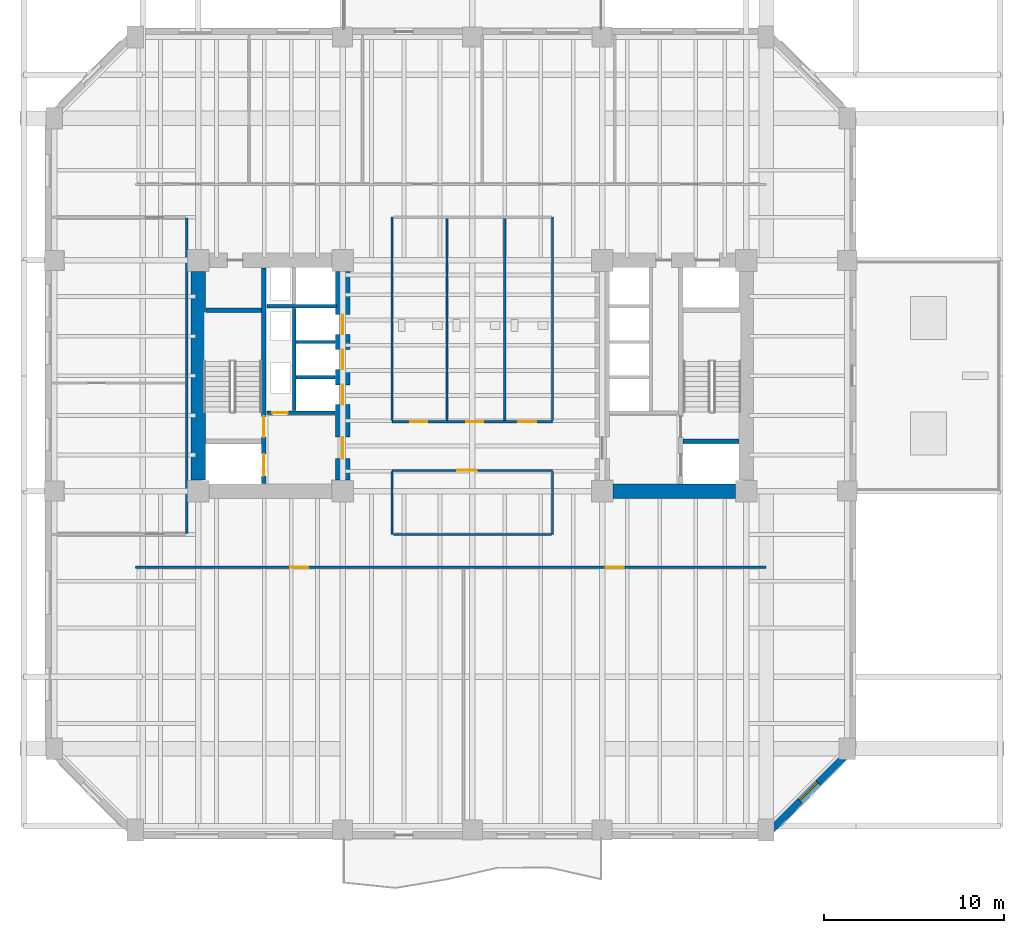
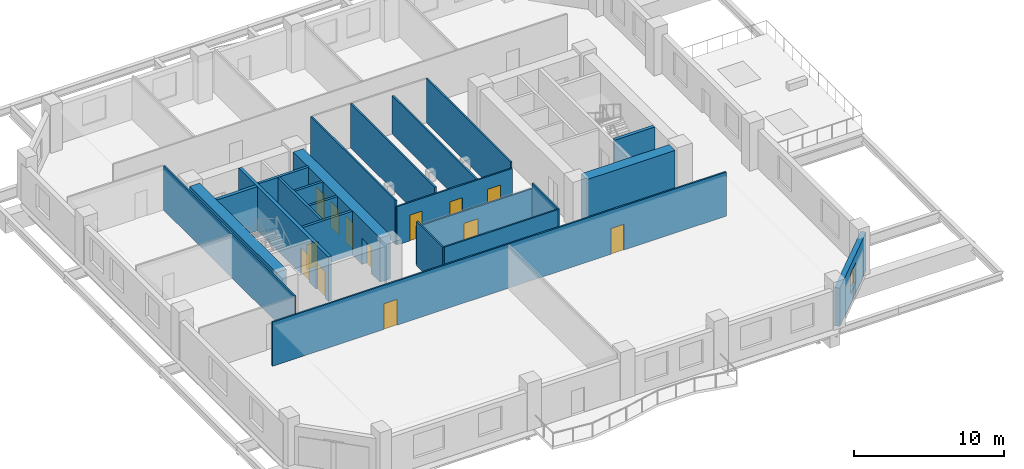
# One storey, part 4 of 11: 23 walls, 13 doors, 1 window, 14 openings.
"""IFC4 building model written with IfcOpenShell, lengths in metres."""

from ifc_helpers import new_model, si_unit, direction, frame, frame_2d, origin, place, context, subcontext, project, spatial, rectangle, extrude, material, layer, layer_set, type_object, element, fill, save


model = new_model("IFC4")

# Units and contexts
model_context = context("Model", 3, precision=1e-05, world=origin(), true_north=direction((0.0, 1.0)))
body_context = subcontext(model_context, "Body", "Model", "MODEL_VIEW")
ifc_project = project(units=[si_unit("LENGTHUNIT", "METRE"), si_unit("AREAUNIT", "SQUARE_METRE"), si_unit("VOLUMEUNIT", "CUBIC_METRE"), si_unit("PLANEANGLEUNIT", "RADIAN"), si_unit("MASSUNIT", "GRAM", prefix="KILO")], contexts=[model_context])

# Site, building, storey
site_placement = place(None, origin())
site = spatial("IfcSite", under=ifc_project, at=site_placement, CompositionType="ELEMENT")
building_placement = place(site_placement, origin())
building = spatial("IfcBuilding", under=site, at=building_placement, Name="Kranthara Brick Stack", CompositionType="ELEMENT")
storey_placement = place(building_placement, frame((0.0, 0.0, 24.300048828125)))
storey = spatial("IfcBuildingStorey", under=building, at=storey_placement, Name="L05", CompositionType="ELEMENT", Elevation=24.300048828125)

# Wall, opening, window
ifc_material_1 = material(Name="Kiln-fired clay brick masonry M15", Category="masonry")
ifc_layer_1 = layer(ifc_material_1, 0.3798828125)
ifc_layer_set_1 = layer_set([ifc_layer_1], Name="Kiln-fired clay brick masonry M15")
wall_type_1 = type_object("IfcWallType", Name="WL-BRK-PIER-380", PredefinedType="STANDARD", material=ifc_layer_set_1)
wall_1_placement = place(storey_placement, frame((49.090087890625, 6.5, 0.0), z_axis=(0.0, 0.0, 1.0), x_axis=(-0.707106781187, -0.707106781187, 0.0)))
wall_1 = element("IfcWall", 1, at=wall_1_placement, inside=storey, type_object=wall_type_1, Name="L05 Exterior Brick Facade Wall SE 1", PredefinedType="STANDARD", context=body_context, shape_type="SweptSolid", body=[
    extrude(rectangle(XDim=6.774169921875, YDim=0.3798828125, at=frame_2d((3.38720703125, 0.0))), origin(), (0.0, 0.0, 1.0), 3.135009765625),
])
opening_1_placement = place(wall_1_placement, frame((2.68701171875, 0.0, 0.800048828125)))
opening_1 = element("IfcOpeningElement", 2, at=opening_1_placement, cuts=wall_1, Name="Opening WN10", PredefinedType="OPENING", context=body_context, shape_type="SweptSolid", body=[
    extrude(rectangle(XDim=1.39990234375, YDim=1.64990234375, at=frame_2d((0.699951171875, 0.824951171875))), frame((0.0, 0.199951171875, 0.0), z_axis=(0.0, -1.0, 0.0), x_axis=(1.0, 0.0, 0.0)), (0.0, 0.0, 1.0), 0.39990234375),
])
ifc_material_2 = material(Name="Double-glazed low-E solar control glass", Category="glass")
window_type = type_object("IfcWindowType", Name="WN-CHM-1400x1750", PartitioningType="SINGLE_PANEL", PredefinedType="WINDOW", material=ifc_material_2)
window_placement = place(opening_1_placement, origin())
window = element("IfcWindow", 3, at=window_placement, inside=storey, type_object=window_type, Name="L05 SE Chamfer Corner Window", OverallHeight=1.64990234375, OverallWidth=1.39990234375, PartitioningType="SINGLE_PANEL", PredefinedType="WINDOW", context=body_context, shape_type="SweptSolid", body=[
    extrude(rectangle(XDim=1.39990234375, YDim=1.64990234375, at=frame_2d((0.699951171875, 0.824951171875))), frame((0.0, -0.010009765625, 0.0), z_axis=(0.0, -1.0, 0.0), x_axis=(1.0, 0.0, 0.0)), (0.0, 0.0, 1.0), 0.06005859375),
])
fill(opening_1, window)

# Wall, openings, doors
ifc_material_3 = material(Name="Concrete C50/60", Category="concrete")
ifc_layer_2 = layer(ifc_material_3, 0.25)
ifc_layer_set_2 = layer_set([ifc_layer_2], Name="Concrete C50/60")
wall_type_2 = type_object("IfcWallType", Name="WL-CORE-250", PredefinedType="SHEAR", material=ifc_layer_set_2)
wall_2_placement = place(storey_placement, frame((16.43505859375, 21.2099609375, 0.0), z_axis=(0.0, 0.0, 1.0), x_axis=(0.0, 1.0, 0.0)))
wall_2 = element("IfcWall", 4, at=wall_2_placement, inside=storey, type_object=wall_type_2, Name="L05 West Core Stair Bearing Spine Wall", PredefinedType="SHEAR", context=body_context, shape_type="SweptSolid", body=[
    extrude(rectangle(XDim=11.97998046875, YDim=0.25, at=frame_2d((5.989990234375, 0.0))), origin(), (0.0, 0.0, 1.0), 3.599853515625),
])
opening_2_placement = place(wall_2_placement, frame((0.43994140625, 0.0, 0.0)))
opening_2 = element("IfcOpeningElement", 5, at=opening_2_placement, cuts=wall_2, Name="Opening LD01", PredefinedType="OPENING", context=body_context, shape_type="SweptSolid", body=[
    extrude(rectangle(XDim=1.199951171875, YDim=2.14990234375, at=frame_2d((0.60009765625, 1.074951171875))), frame((0.0, 0.135009765625, 0.0), z_axis=(0.0, -1.0, 0.0), x_axis=(1.0, 0.0, 0.0)), (0.0, 0.0, 1.0), 0.27001953125),
])
opening_3_placement = place(wall_2_placement, frame((2.590087890625, 0.0, 0.0)))
opening_3 = element("IfcOpeningElement", 6, at=opening_3_placement, cuts=wall_2, Name="Opening D05", PredefinedType="OPENING", context=body_context, shape_type="SweptSolid", body=[
    extrude(rectangle(XDim=1.14990234375, YDim=2.14990234375, at=frame_2d((0.574951171875, 1.074951171875))), frame((0.0, 0.135009765625, 0.0), z_axis=(0.0, -1.0, 0.0), x_axis=(1.0, 0.0, 0.0)), (0.0, 0.0, 1.0), 0.27001953125),
])
ifc_material_4 = material(Name="Stainless steel sliding landing door", Category="steel")
door_type_1 = type_object("IfcDoorType", Name="DR-LD-FF1200", OperationType="DOUBLE_DOOR_SLIDING", PredefinedType="DOOR", material=ifc_material_4)
door_1_placement = place(opening_2_placement, origin())
door_1 = element("IfcDoor", 7, at=door_1_placement, inside=storey, type_object=door_type_1, Name="L05 Firefighting Lift FF-01 Landing Door", OperationType="DOUBLE_DOOR_SLIDING", OverallHeight=2.14990234375, OverallWidth=1.199951171875, PredefinedType="DOOR", context=body_context, shape_type="SweptSolid", body=[
    extrude(rectangle(XDim=1.199951171875, YDim=2.14990234375, at=frame_2d((0.60009765625, 1.074951171875))), frame((0.0, 0.02490234375, 0.0), z_axis=(0.0, -1.0, 0.0), x_axis=(1.0, 0.0, 0.0)), (0.0, 0.0, 1.0), 0.050048828125),
])
fill(opening_2, door_1)
ifc_material_5 = material(Name="Solid-core hardwood timber leaf in steel frame", Category="steel")
door_type_2 = type_object("IfcDoorType", Name="DR-ST-1150", OperationType="NOTDEFINED", PredefinedType="DOOR", material=ifc_material_5)
door_2_placement = place(opening_3_placement, origin())
door_2 = element("IfcDoor", 8, at=door_2_placement, inside=storey, type_object=door_type_2, Name="L05 Exit Stair ST01 Door", OperationType="SINGLE_SWING_RIGHT", OverallHeight=2.14990234375, OverallWidth=1.14990234375, PredefinedType="DOOR", context=body_context, shape_type="SweptSolid", body=[
    extrude(rectangle(XDim=1.14990234375, YDim=2.14990234375, at=frame_2d((0.574951171875, 1.074951171875))), frame((0.0, 0.02490234375, 0.0), z_axis=(0.0, -1.0, 0.0), x_axis=(1.0, 0.0, 0.0)), (0.0, 0.0, 1.0), 0.050048828125),
])
fill(opening_3, door_2)

# Walls
for number, where, z_axis, x_axis, name in (
    (9, (13.2099609375, 30.830078125, 0.0), (0.0, 0.0, 1.0), (1.0, 0.0, 0.0), "L05 West Stairwell Bearing Wall WST"),
    (10, (39.68994140625, 23.570068359375, 0.0), (0.0, 0.0, 1.0), (1.0, 0.0, 0.0), "L05 East Stairwell Bearing Wall EFF"),
):
    element("IfcWall", number, at=place(storey_placement, frame(where, z_axis=z_axis, x_axis=x_axis)), inside=storey, type_object=wall_type_2, Name=name, PredefinedType="SHEAR", context=body_context, shape_type="SweptSolid", body=[
        extrude(rectangle(XDim=3.10009765625, YDim=0.25, at=frame_2d((1.550048828125, 0.0))), origin(), (0.0, 0.0, 1.0), 3.599853515625),
    ])
ifc_material_6 = material(Name="Concrete C70/85", Category="concrete")
ifc_layer_3 = layer(ifc_material_6, 0.800048828125)
ifc_layer_set_3 = layer_set([ifc_layer_3], Name="Concrete C70/85")
wall_type_3 = type_object("IfcWallType", Name="WL-CORE-800", PredefinedType="SHEAR", material=ifc_layer_set_3)
wall_3_placement = place(storey_placement, frame((12.800048828125, 21.405029296875, 0.0), z_axis=(0.0, 0.0, 1.0), x_axis=(0.0, 1.0, 0.0)))
element("IfcWall", 11, at=wall_3_placement, inside=storey, type_object=wall_type_3, Name="L05 West Core Shear Wall West", PredefinedType="SHEAR", context=body_context, shape_type="SweptSolid", body=[
    extrude(rectangle(XDim=11.590087890625, YDim=0.800048828125, at=frame_2d((5.794921875, 0.0))), origin(), (0.0, 0.0, 1.0), 3.599853515625),
])

# Wall, openings, doors
wall_4_placement = place(storey_placement, frame((20.800048828125, 21.405029296875, 0.0), z_axis=(0.0, 0.0, 1.0), x_axis=(0.0, 1.0, 0.0)))
wall_4 = element("IfcWall", 12, at=wall_4_placement, inside=storey, type_object=wall_type_3, Name="L05 West Core Shear Wall East", PredefinedType="SHEAR", context=body_context, shape_type="SweptSolid", body=[
    extrude(rectangle(XDim=11.590087890625, YDim=0.800048828125, at=frame_2d((5.794921875, 0.0))), origin(), (0.0, 0.0, 1.0), 3.599853515625),
])
opening_4_placement = place(wall_4_placement, frame((1.195068359375, 0.0, 0.0)))
opening_4 = element("IfcOpeningElement", 13, at=opening_4_placement, cuts=wall_4, Name="Opening D06", PredefinedType="OPENING", context=body_context, shape_type="SweptSolid", body=[
    extrude(rectangle(XDim=1.199951171875, YDim=2.14990234375, at=frame_2d((0.60009765625, 1.074951171875))), frame((0.0, 0.409912109375, 0.0), z_axis=(0.0, -1.0, 0.0), x_axis=(1.0, 0.0, 0.0)), (0.0, 0.0, 1.0), 0.820068359375),
])
opening_5_placement = place(wall_4_placement, frame((4.195068359375, 0.0, 0.0)))
opening_5 = element("IfcOpeningElement", 14, at=opening_5_placement, cuts=wall_4, Name="Opening LD02", PredefinedType="OPENING", context=body_context, shape_type="SweptSolid", body=[
    extrude(rectangle(XDim=1.10009765625, YDim=2.10009765625, at=frame_2d((0.550048828125, 1.050048828125))), frame((0.0, 0.409912109375, 0.0), z_axis=(0.0, -1.0, 0.0), x_axis=(1.0, 0.0, 0.0)), (0.0, 0.0, 1.0), 0.820068359375),
])
opening_6_placement = place(wall_4_placement, frame((6.14501953125, 0.0, 0.0)))
opening_6 = element("IfcOpeningElement", 15, at=opening_6_placement, cuts=wall_4, Name="Opening LD02", PredefinedType="OPENING", context=body_context, shape_type="SweptSolid", body=[
    extrude(rectangle(XDim=1.10009765625, YDim=2.10009765625, at=frame_2d((0.550048828125, 1.050048828125))), frame((0.0, 0.409912109375, 0.0), z_axis=(0.0, -1.0, 0.0), x_axis=(1.0, 0.0, 0.0)), (0.0, 0.0, 1.0), 0.820068359375),
])
opening_7_placement = place(wall_4_placement, frame((8.094970703125, 0.0, 0.0)))
opening_7 = element("IfcOpeningElement", 16, at=opening_7_placement, cuts=wall_4, Name="Opening LD02", PredefinedType="OPENING", context=body_context, shape_type="SweptSolid", body=[
    extrude(rectangle(XDim=1.10009765625, YDim=2.10009765625, at=frame_2d((0.550048828125, 1.050048828125))), frame((0.0, 0.409912109375, 0.0), z_axis=(0.0, -1.0, 0.0), x_axis=(1.0, 0.0, 0.0)), (0.0, 0.0, 1.0), 0.820068359375),
])
ifc_material_7 = material(Name="Solid-core hardwood timber leaf in steel frame", Category="steel")
door_type_3 = type_object("IfcDoorType", Name="DR-FFL-1200", OperationType="NOTDEFINED", PredefinedType="DOOR", material=ifc_material_7)
door_3_placement = place(opening_4_placement, origin())
door_3 = element("IfcDoor", 17, at=door_3_placement, inside=storey, type_object=door_type_3, Name="L05 West Firefighting Lobby Door", OperationType="SINGLE_SWING_LEFT", OverallHeight=2.14990234375, OverallWidth=1.199951171875, PredefinedType="DOOR", context=body_context, shape_type="SweptSolid", body=[
    extrude(rectangle(XDim=1.199951171875, YDim=2.14990234375, at=frame_2d((0.60009765625, 1.074951171875))), frame((0.0, 0.02490234375, 0.0), z_axis=(0.0, -1.0, 0.0), x_axis=(1.0, 0.0, 0.0)), (0.0, 0.0, 1.0), 0.050048828125),
])
fill(opening_4, door_3)
ifc_material_8 = material(Name="Stainless steel sliding landing door", Category="steel")
door_type_4 = type_object("IfcDoorType", Name="DR-LD-PL1100", OperationType="DOUBLE_DOOR_SLIDING", PredefinedType="DOOR", material=ifc_material_8)
door_4_placement = place(opening_5_placement, origin())
door_4 = element("IfcDoor", 18, at=door_4_placement, inside=storey, type_object=door_type_4, Name="L05 PL-01 Lift Landing Door", OperationType="DOUBLE_DOOR_SLIDING", OverallHeight=2.10009765625, OverallWidth=1.10009765625, PredefinedType="DOOR", context=body_context, shape_type="SweptSolid", body=[
    extrude(rectangle(XDim=1.10009765625, YDim=2.10009765625, at=frame_2d((0.550048828125, 1.050048828125))), frame((0.0, 0.02490234375, 0.0), z_axis=(0.0, -1.0, 0.0), x_axis=(1.0, 0.0, 0.0)), (0.0, 0.0, 1.0), 0.050048828125),
])
fill(opening_5, door_4)
door_5_placement = place(opening_6_placement, origin())
door_5 = element("IfcDoor", 19, at=door_5_placement, inside=storey, type_object=door_type_4, Name="L05 PL-02 Lift Landing Door", OperationType="DOUBLE_DOOR_SLIDING", OverallHeight=2.10009765625, OverallWidth=1.10009765625, PredefinedType="DOOR", context=body_context, shape_type="SweptSolid", body=[
    extrude(rectangle(XDim=1.10009765625, YDim=2.10009765625, at=frame_2d((0.550048828125, 1.050048828125))), frame((0.0, 0.02490234375, 0.0), z_axis=(0.0, -1.0, 0.0), x_axis=(1.0, 0.0, 0.0)), (0.0, 0.0, 1.0), 0.050048828125),
])
fill(opening_6, door_5)
door_6_placement = place(opening_7_placement, origin())
door_6 = element("IfcDoor", 20, at=door_6_placement, inside=storey, type_object=door_type_4, Name="L05 PL-03 Lift Landing Door", OperationType="DOUBLE_DOOR_SLIDING", OverallHeight=2.10009765625, OverallWidth=1.10009765625, PredefinedType="DOOR", context=body_context, shape_type="SweptSolid", body=[
    extrude(rectangle(XDim=1.10009765625, YDim=2.10009765625, at=frame_2d((0.550048828125, 1.050048828125))), frame((0.0, 0.02490234375, 0.0), z_axis=(0.0, -1.0, 0.0), x_axis=(1.0, 0.0, 0.0)), (0.0, 0.0, 1.0), 0.050048828125),
])
fill(opening_7, door_6)

# Wall
wall_5_placement = place(storey_placement, frame((35.804931640625, 20.800048828125, 0.0), z_axis=(0.0, 0.0, 1.0), x_axis=(1.0, 0.0, 0.0)))
element("IfcWall", 21, at=wall_5_placement, inside=storey, type_object=wall_type_3, Name="L05 East Core Shear Wall South", PredefinedType="SHEAR", context=body_context, shape_type="SweptSolid", body=[
    extrude(rectangle(XDim=6.7900390625, YDim=0.800048828125, at=frame_2d((3.39501953125, 0.0))), origin(), (0.0, 0.0, 1.0), 3.599853515625),
])

# Wall, openings, doors
ifc_material_9 = material(Name="Acoustic gypsum plasterboard partition", Category="other")
ifc_layer_4 = layer(ifc_material_9, 0.1201171875)
ifc_layer_set_4 = layer_set([ifc_layer_4], Name="Acoustic gypsum plasterboard partition")
wall_type_4 = type_object("IfcWallType", Name="WL-PART-120", PredefinedType="PARTITIONING", material=ifc_layer_set_4)
wall_6_placement = place(storey_placement, frame((23.550048828125, 24.64990234375, 0.0), z_axis=(0.0, 0.0, 1.0), x_axis=(1.0, 0.0, 0.0)))
wall_6 = element("IfcWall", 22, at=wall_6_placement, inside=storey, type_object=wall_type_4, Name="L05 Interior Partition 001", PredefinedType="PARTITIONING", context=body_context, shape_type="SweptSolid", body=[
    extrude(rectangle(XDim=8.89990234375, YDim=0.1201171875, at=frame_2d((4.449951171875, 0.0))), origin(), (0.0, 0.0, 1.0), 3.135009765625),
])
opening_8_placement = place(wall_6_placement, frame((1.0, 0.0, 0.0)))
opening_8 = element("IfcOpeningElement", 23, at=opening_8_placement, cuts=wall_6, Name="Opening D14", PredefinedType="OPENING", context=body_context, shape_type="SweptSolid", body=[
    extrude(rectangle(XDim=0.949951171875, YDim=2.10009765625, at=frame_2d((0.47509765625, 1.050048828125))), frame((0.0, 0.070068359375, 0.0), z_axis=(0.0, -1.0, 0.0), x_axis=(1.0, 0.0, 0.0)), (0.0, 0.0, 1.0), 0.14013671875),
])
opening_9_placement = place(wall_6_placement, frame((4.10009765625, 0.0, 0.0)))
opening_9 = element("IfcOpeningElement", 24, at=opening_9_placement, cuts=wall_6, Name="Opening D14", PredefinedType="OPENING", context=body_context, shape_type="SweptSolid", body=[
    extrude(rectangle(XDim=0.949951171875, YDim=2.10009765625, at=frame_2d((0.47509765625, 1.050048828125))), frame((0.0, 0.070068359375, 0.0), z_axis=(0.0, -1.0, 0.0), x_axis=(1.0, 0.0, 0.0)), (0.0, 0.0, 1.0), 0.14013671875),
])
opening_10_placement = place(wall_6_placement, frame((7.0, 0.0, 0.0)))
opening_10 = element("IfcOpeningElement", 25, at=opening_10_placement, cuts=wall_6, Name="Opening D18", PredefinedType="OPENING", context=body_context, shape_type="SweptSolid", body=[
    extrude(rectangle(XDim=1.0, YDim=2.10009765625, at=frame_2d((0.5, 1.050048828125))), frame((0.0, 0.070068359375, 0.0), z_axis=(0.0, -1.0, 0.0), x_axis=(1.0, 0.0, 0.0)), (0.0, 0.0, 1.0), 0.14013671875),
])
ifc_material_10 = material(Name="Solid-core hardwood timber leaf in steel frame", Category="steel")
door_type_5 = type_object("IfcDoorType", Name="DR-ACC-1000", OperationType="NOTDEFINED", PredefinedType="DOOR", material=ifc_material_10)
door_7_placement = place(opening_10_placement, origin())
door_7 = element("IfcDoor", 26, at=door_7_placement, inside=storey, type_object=door_type_5, Name="L05 Accessible WC Door 03", OperationType="SINGLE_SWING_LEFT", OverallHeight=2.10009765625, OverallWidth=1.0, PredefinedType="DOOR", context=body_context, shape_type="SweptSolid", body=[
    extrude(rectangle(XDim=1.0, YDim=2.10009765625, at=frame_2d((0.5, 1.050048828125))), frame((0.0, 0.02490234375, 0.0), z_axis=(0.0, -1.0, 0.0), x_axis=(1.0, 0.0, 0.0)), (0.0, 0.0, 1.0), 0.050048828125),
])
fill(opening_10, door_7)
ifc_material_11 = material(Name="Solid-core hardwood timber leaf in steel frame", Category="steel")
door_type_6 = type_object("IfcDoorType", Name="DR-INT-950", OperationType="NOTDEFINED", PredefinedType="DOOR", material=ifc_material_11)
door_8_placement = place(opening_8_placement, origin())
door_8 = element("IfcDoor", 27, at=door_8_placement, inside=storey, type_object=door_type_6, Name="L05 Male WC Door 01", OperationType="SINGLE_SWING_LEFT", OverallHeight=2.10009765625, OverallWidth=0.949951171875, PredefinedType="DOOR", context=body_context, shape_type="SweptSolid", body=[
    extrude(rectangle(XDim=0.949951171875, YDim=2.10009765625, at=frame_2d((0.47509765625, 1.050048828125))), frame((0.0, 0.02490234375, 0.0), z_axis=(0.0, -1.0, 0.0), x_axis=(1.0, 0.0, 0.0)), (0.0, 0.0, 1.0), 0.050048828125),
])
fill(opening_8, door_8)
door_9_placement = place(opening_9_placement, origin())
door_9 = element("IfcDoor", 28, at=door_9_placement, inside=storey, type_object=door_type_6, Name="L05 Female WC Door 02", OperationType="SINGLE_SWING_RIGHT", OverallHeight=2.10009765625, OverallWidth=0.949951171875, PredefinedType="DOOR", context=body_context, shape_type="SweptSolid", body=[
    extrude(rectangle(XDim=0.949951171875, YDim=2.10009765625, at=frame_2d((0.47509765625, 1.050048828125))), frame((0.0, 0.02490234375, 0.0), z_axis=(0.0, -1.0, 0.0), x_axis=(1.0, 0.0, 0.0)), (0.0, 0.0, 1.0), 0.050048828125),
])
fill(opening_9, door_9)

# Walls
for number, where, z_axis, x_axis, name in (
    (29, (23.550048828125, 24.715087890625, 0.0), (0.0, 0.0, 1.0), (0.0, 1.0, 0.0), "L05 Interior Partition 002"),
    (30, (32.449951171875, 24.715087890625, 0.0), (0.0, 0.0, 1.0), (0.0, 1.0, 0.0), "L05 Interior Partition 003"),
    (31, (26.60009765625, 24.715087890625, 0.0), (0.0, 0.0, 1.0), (0.0, 1.0, 0.0), "L05 Interior Partition 004"),
):
    element("IfcWall", number, at=place(storey_placement, frame(where, z_axis=z_axis, x_axis=x_axis)), inside=storey, type_object=wall_type_4, Name=name, PredefinedType="PARTITIONING", context=body_context, shape_type="SweptSolid", body=[
        extrude(rectangle(XDim=11.284912109375, YDim=0.1201171875, at=frame_2d((5.642578125, 0.0))), origin(), (0.0, 0.0, 1.0), 3.599853515625),
    ])
wall_7_placement = place(storey_placement, frame((29.800048828125, 24.715087890625, 0.0), z_axis=(0.0, 0.0, 1.0), x_axis=(0.0, 1.0, 0.0)))
element("IfcWall", 32, at=wall_7_placement, inside=storey, type_object=wall_type_4, Name="L05 Interior Partition 005", PredefinedType="PARTITIONING", context=body_context, shape_type="SweptSolid", body=[
    extrude(rectangle(XDim=11.284912109375, YDim=0.1201171875, at=frame_2d((5.642578125, 0.0))), origin(), (0.0, 0.0, 1.0), 3.135009765625),
])

# Wall, opening, door
wall_8_placement = place(storey_placement, frame((23.550048828125, 21.949951171875, 0.0), z_axis=(0.0, 0.0, 1.0), x_axis=(1.0, 0.0, 0.0)))
wall_8 = element("IfcWall", 33, at=wall_8_placement, inside=storey, type_object=wall_type_4, Name="L05 Interior Partition 007", PredefinedType="PARTITIONING", context=body_context, shape_type="SweptSolid", body=[
    extrude(rectangle(XDim=8.89990234375, YDim=0.1201171875, at=frame_2d((4.449951171875, 0.0))), origin(), (0.0, 0.0, 1.0), 3.135009765625),
])
opening_11_placement = place(wall_8_placement, frame((3.60009765625, 0.0, 0.0)))
opening_11 = element("IfcOpeningElement", 34, at=opening_11_placement, cuts=wall_8, Name="Opening D11", PredefinedType="OPENING", context=body_context, shape_type="SweptSolid", body=[
    extrude(rectangle(XDim=1.10009765625, YDim=2.14990234375, at=frame_2d((0.550048828125, 1.074951171875))), frame((0.0, 0.070068359375, 0.0), z_axis=(0.0, -1.0, 0.0), x_axis=(1.0, 0.0, 0.0)), (0.0, 0.0, 1.0), 0.14013671875),
])
ifc_material_12 = material(Name="Solid-core hardwood timber leaf in steel frame", Category="steel")
door_type_7 = type_object("IfcDoorType", Name="DR-INT-1100", OperationType="NOTDEFINED", PredefinedType="DOOR", material=ifc_material_12)
door_10_placement = place(opening_11_placement, origin())
door_10 = element("IfcDoor", 35, at=door_10_placement, inside=storey, type_object=door_type_7, Name="L05 Internal Briefing Room 04", OperationType="SINGLE_SWING_RIGHT", OverallHeight=2.14990234375, OverallWidth=1.10009765625, PredefinedType="DOOR", context=body_context, shape_type="SweptSolid", body=[
    extrude(rectangle(XDim=1.10009765625, YDim=2.14990234375, at=frame_2d((0.550048828125, 1.074951171875))), frame((0.0, 0.02490234375, 0.0), z_axis=(0.0, -1.0, 0.0), x_axis=(1.0, 0.0, 0.0)), (0.0, 0.0, 1.0), 0.050048828125),
])
fill(opening_11, door_10)

# Walls
for number, where, z_axis, x_axis, name in (
    (36, (23.550048828125, 18.39990234375, 0.0), (0.0, 0.0, 1.0), (0.0, 1.0, 0.0), "L05 Interior Partition 008"),
    (37, (32.449951171875, 18.39990234375, 0.0), (0.0, 0.0, 1.0), (0.0, 1.0, 0.0), "L05 Interior Partition 009"),
):
    element("IfcWall", number, at=place(storey_placement, frame(where, z_axis=z_axis, x_axis=x_axis)), inside=storey, type_object=wall_type_4, Name=name, PredefinedType="PARTITIONING", context=body_context, shape_type="SweptSolid", body=[
        extrude(rectangle(XDim=3.485107421875, YDim=0.1201171875, at=frame_2d((1.74267578125, 0.0))), origin(), (0.0, 0.0, 1.0), 3.599853515625),
    ])
wall_9_placement = place(storey_placement, frame((23.614990234375, 18.39990234375, 0.0), z_axis=(0.0, 0.0, 1.0), x_axis=(1.0, 0.0, 0.0)))
element("IfcWall", 38, at=wall_9_placement, inside=storey, type_object=wall_type_4, Name="L05 Interior Partition 010", PredefinedType="PARTITIONING", context=body_context, shape_type="SweptSolid", body=[
    extrude(rectangle(XDim=8.77001953125, YDim=0.1201171875, at=frame_2d((4.385009765625, 0.0))), origin(), (0.0, 0.0, 1.0), 3.599853515625),
])

# Wall, openings, doors
wall_10_placement = place(storey_placement, frame((9.300048828125, 16.580078125, 0.0), z_axis=(0.0, 0.0, 1.0), x_axis=(1.0, 0.0, 0.0)))
wall_10 = element("IfcWall", 39, at=wall_10_placement, inside=storey, type_object=wall_type_4, Name="L05 Interior Partition 011", PredefinedType="PARTITIONING", context=body_context, shape_type="SweptSolid", body=[
    extrude(rectangle(XDim=35.0, YDim=0.1201171875, at=frame_2d((17.5, 0.0))), origin(), (0.0, 0.0, 1.0), 3.599853515625),
])
opening_12_placement = place(wall_10_placement, frame((8.60009765625, 0.0, 0.0)))
opening_12 = element("IfcOpeningElement", 40, at=opening_12_placement, cuts=wall_10, Name="Opening D13", PredefinedType="OPENING", context=body_context, shape_type="SweptSolid", body=[
    extrude(rectangle(XDim=1.0, YDim=2.10009765625, at=frame_2d((0.5, 1.050048828125))), frame((0.0, 0.070068359375, 0.0), z_axis=(0.0, -1.0, 0.0), x_axis=(1.0, 0.0, 0.0)), (0.0, 0.0, 1.0), 0.14013671875),
])
opening_13_placement = place(wall_10_placement, frame((26.10009765625, 0.0, 0.0)))
opening_13 = element("IfcOpeningElement", 41, at=opening_13_placement, cuts=wall_10, Name="Opening D13", PredefinedType="OPENING", context=body_context, shape_type="SweptSolid", body=[
    extrude(rectangle(XDim=1.0, YDim=2.10009765625, at=frame_2d((0.5, 1.050048828125))), frame((0.0, 0.070068359375, 0.0), z_axis=(0.0, -1.0, 0.0), x_axis=(1.0, 0.0, 0.0)), (0.0, 0.0, 1.0), 0.14013671875),
])
ifc_material_13 = material(Name="Solid-core hardwood timber leaf in steel frame", Category="steel")
door_type_8 = type_object("IfcDoorType", Name="DR-INT-1000", OperationType="NOTDEFINED", PredefinedType="DOOR", material=ifc_material_13)
door_11_placement = place(opening_12_placement, origin())
door_11 = element("IfcDoor", 42, at=door_11_placement, inside=storey, type_object=door_type_8, Name="L05 Open Plan Workspace 05", OperationType="SINGLE_SWING_LEFT", OverallHeight=2.10009765625, OverallWidth=1.0, PredefinedType="DOOR", context=body_context, shape_type="SweptSolid", body=[
    extrude(rectangle(XDim=1.0, YDim=2.10009765625, at=frame_2d((0.5, 1.050048828125))), frame((0.0, 0.02490234375, 0.0), z_axis=(0.0, -1.0, 0.0), x_axis=(1.0, 0.0, 0.0)), (0.0, 0.0, 1.0), 0.050048828125),
])
fill(opening_12, door_11)
door_12_placement = place(opening_13_placement, origin())
door_12 = element("IfcDoor", 43, at=door_12_placement, inside=storey, type_object=door_type_8, Name="L05 Collaboration Lounge 06", OperationType="SINGLE_SWING_RIGHT", OverallHeight=2.10009765625, OverallWidth=1.0, PredefinedType="DOOR", context=body_context, shape_type="SweptSolid", body=[
    extrude(rectangle(XDim=1.0, YDim=2.10009765625, at=frame_2d((0.5, 1.050048828125))), frame((0.0, 0.02490234375, 0.0), z_axis=(0.0, -1.0, 0.0), x_axis=(1.0, 0.0, 0.0)), (0.0, 0.0, 1.0), 0.050048828125),
])
fill(opening_13, door_12)

# Walls
wall_11_placement = place(storey_placement, frame((12.14990234375, 18.449951171875, 0.0), z_axis=(0.0, 0.0, 1.0), x_axis=(0.0, 1.0, 0.0)))
element("IfcWall", 44, at=wall_11_placement, inside=storey, type_object=wall_type_4, Name="L05 Interior Partition 018", PredefinedType="PARTITIONING", context=body_context, shape_type="SweptSolid", body=[
    extrude(rectangle(XDim=17.5, YDim=0.1201171875, at=frame_2d((8.75, 0.0))), origin(), (0.0, 0.0, 1.0), 3.599853515625),
])
ifc_material_14 = material(Name="Gypsum plasterboard on acoustic twin stud", Category="other")
ifc_layer_5 = layer(ifc_material_14, 0.179931640625)
ifc_layer_set_5 = layer_set([ifc_layer_5], Name="Gypsum plasterboard on acoustic twin stud")
wall_type_5 = type_object("IfcWallType", Name="WL-PART-180", PredefinedType="PARTITIONING", material=ifc_layer_set_5)
wall_12_placement = place(storey_placement, frame((18.1201171875, 25.27001953125, 0.0), z_axis=(0.0, 0.0, 1.0), x_axis=(0.0, 1.0, 0.0)))
element("IfcWall", 45, at=wall_12_placement, inside=storey, type_object=wall_type_5, Name="L05 West Hoistway Wall WBK", PredefinedType="PARTITIONING", context=body_context, shape_type="SweptSolid", body=[
    extrude(rectangle(XDim=5.659912109375, YDim=0.179931640625, at=frame_2d((2.830078125, 0.0))), origin(), (0.0, 0.0, 1.0), 3.599853515625),
])
for number, where, z_axis, x_axis, name in (
    (46, (18.219970703125, 27.1201171875, 0.0), (0.0, 0.0, 1.0), (1.0, 0.0, 0.0), "L05 West Hoistway Wall WH1"),
    (47, (18.219970703125, 29.080078125, 0.0), (0.0, 0.0, 1.0), (1.0, 0.0, 0.0), "L05 West Hoistway Wall WH2"),
):
    element("IfcWall", number, at=place(storey_placement, frame(where, z_axis=z_axis, x_axis=x_axis)), inside=storey, type_object=wall_type_5, Name=name, PredefinedType="PARTITIONING", context=body_context, shape_type="SweptSolid", body=[
        extrude(rectangle(XDim=2.169921875, YDim=0.179931640625, at=frame_2d((1.0849609375, 0.0))), origin(), (0.0, 0.0, 1.0), 3.599853515625),
    ])

# Wall, opening, door
ifc_material_15 = material(Name="Concrete C40/50", Category="concrete")
ifc_layer_6 = layer(ifc_material_15, 0.199951171875)
ifc_layer_set_6 = layer_set([ifc_layer_6], Name="Concrete C40/50")
wall_type_6 = type_object("IfcWallType", Name="WL-PART-200", PredefinedType="SOLIDWALL", material=ifc_layer_set_6)
wall_13_placement = place(storey_placement, frame((16.60009765625, 25.14990234375, 0.0), z_axis=(0.0, 0.0, 1.0), x_axis=(1.0, 0.0, 0.0)))
wall_13 = element("IfcWall", 48, at=wall_13_placement, inside=storey, type_object=wall_type_6, Name="L05 West Core Cross Wall WFL", PredefinedType="SOLIDWALL", context=body_context, shape_type="SweptSolid", body=[
    extrude(rectangle(XDim=3.789794921875, YDim=0.199951171875, at=frame_2d((1.89501953125, 0.0))), origin(), (0.0, 0.0, 1.0), 3.599853515625),
])
opening_14_placement = place(wall_13_placement, frame((0.300048828125, 0.0, 0.0)))
opening_14 = element("IfcOpeningElement", 49, at=opening_14_placement, cuts=wall_13, Name="Opening D10", PredefinedType="OPENING", context=body_context, shape_type="SweptSolid", body=[
    extrude(rectangle(XDim=0.85009765625, YDim=2.02001953125, at=frame_2d((0.425048828125, 1.010009765625))), frame((0.0, 0.10986328125, 0.0), z_axis=(0.0, -1.0, 0.0), x_axis=(1.0, 0.0, 0.0)), (0.0, 0.0, 1.0), 0.219970703125),
])
ifc_material_16 = material(Name="Solid-core hardwood timber leaf in steel frame", Category="steel")
door_type_9 = type_object("IfcDoorType", Name="DR-RSR-850", OperationType="NOTDEFINED", PredefinedType="DOOR", material=ifc_material_16)
door_13_placement = place(opening_14_placement, origin())
door_13 = element("IfcDoor", 50, at=door_13_placement, inside=storey, type_object=door_type_9, Name="L05 Mechanical Riser Access Door", OperationType="SINGLE_SWING_LEFT", OverallHeight=2.02001953125, OverallWidth=0.85009765625, PredefinedType="DOOR", context=body_context, shape_type="SweptSolid", body=[
    extrude(rectangle(XDim=0.85009765625, YDim=2.02001953125, at=frame_2d((0.425048828125, 1.010009765625))), frame((0.0, 0.02490234375, 0.0), z_axis=(0.0, -1.0, 0.0), x_axis=(1.0, 0.0, 0.0)), (0.0, 0.0, 1.0), 0.050048828125),
])
fill(opening_14, door_13)

# Wall
wall_14_placement = place(storey_placement, frame((16.60009765625, 31.050048828125, 0.0), z_axis=(0.0, 0.0, 1.0), x_axis=(1.0, 0.0, 0.0)))
element("IfcWall", 51, at=wall_14_placement, inside=storey, type_object=wall_type_6, Name="L05 West Core Cross Wall WH4", PredefinedType="SOLIDWALL", context=body_context, shape_type="SweptSolid", body=[
    extrude(rectangle(XDim=3.849853515625, YDim=0.199951171875, at=frame_2d((1.9248046875, 0.0))), origin(), (0.0, 0.0, 1.0), 3.599853515625),
])

save(model, "model.ifc")
